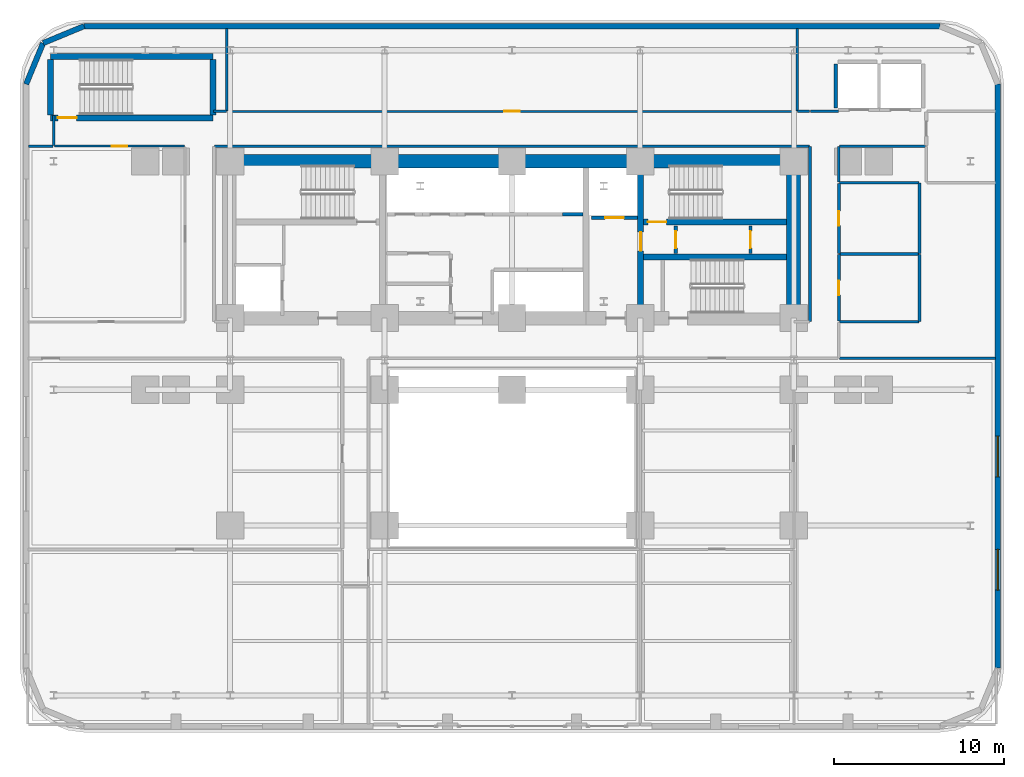
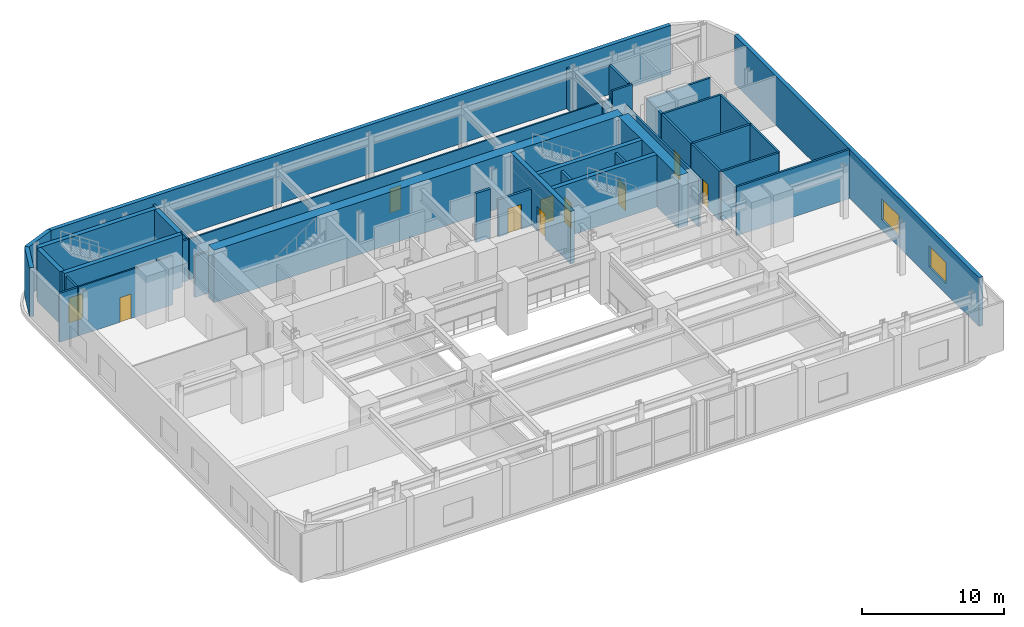
# One storey, part 8 of 14: 39 walls, 10 doors, 2 windows, 12 openings.
"""IFC4 building model written with IfcOpenShell, lengths in metres."""

from ifc_helpers import new_model, si_unit, direction, frame, frame_2d, origin, place, context, subcontext, project, spatial, rectangle, extrude, material, layer, layer_set, type_object, element, fill, save


model = new_model("IFC4")

# Units and contexts
model_context = context("Model", 3, precision=1e-05, world=origin(), true_north=direction((0.0, 1.0)))
body_context = subcontext(model_context, "Body", "Model", "MODEL_VIEW")
ifc_project = project(units=[si_unit("LENGTHUNIT", "METRE"), si_unit("AREAUNIT", "SQUARE_METRE"), si_unit("VOLUMEUNIT", "CUBIC_METRE"), si_unit("PLANEANGLEUNIT", "RADIAN"), si_unit("MASSUNIT", "GRAM", prefix="KILO")], contexts=[model_context])

# Site, building, storey
site_placement = place(None, origin())
site = spatial("IfcSite", under=ifc_project, at=site_placement, CompositionType="ELEMENT")
building_placement = place(site_placement, origin())
building = spatial("IfcBuilding", under=site, at=building_placement, Name="Zarnavel Station Tower", CompositionType="ELEMENT")
storey_placement = place(building_placement, frame((0.0, 0.0, 14.89990234375)))
storey = spatial("IfcBuildingStorey", under=building, at=storey_placement, Name="L04", CompositionType="ELEMENT", Elevation=14.89990234375)

# Wall, opening, door
ifc_material_1 = material(Name="Concrete C50/60", Category="concrete")
ifc_layer_1 = layer(ifc_material_1, 0.35009765625)
ifc_layer_set_1 = layer_set([ifc_layer_1], Name="CW_350")
wall_type_1 = type_object("IfcWallType", Name="CW_350", PredefinedType="SHEAR", material=ifc_layer_set_1)
wall_1_placement = place(storey_placement, frame((36.3798828125, 28.219970703125, 0.0), z_axis=(0.0, 0.0, 1.0), x_axis=(0.0, 1.0, 0.0)))
wall_1 = element("IfcWall", 1, at=wall_1_placement, inside=storey, type_object=wall_type_1, Name="L04 Rear Core Shear Wall DIV-S2", PredefinedType="SHEAR", context=body_context, shape_type="SweptSolid", body=[
    extrude(rectangle(XDim=8.429931640625, YDim=0.35009765625, at=frame_2d((4.21484375, 0.0))), origin(), (0.0, 0.0, 1.0), 4.5),
])
opening_1_placement = place(wall_1_placement, frame((3.56005859375, 0.0, 0.0)))
opening_1 = element("IfcOpeningElement", 2, at=opening_1_placement, cuts=wall_1, Name="Opening FD01", PredefinedType="OPENING", context=body_context, shape_type="SweptSolid", body=[
    extrude(rectangle(XDim=1.10009765625, YDim=2.14990234375, at=frame_2d((0.550048828125, 1.074951171875))), frame((0.0, 0.18505859375, 0.0), z_axis=(0.0, -1.0, 0.0), x_axis=(1.0, 0.0, 0.0)), (0.0, 0.0, 1.0), 0.3701171875),
])
ifc_material_2 = material(Name="Painted Galvanised Steel and Hardwood Leaf", Category="steel")
door_type_1 = type_object("IfcDoorType", Name="ID_STAIR_1100", OperationType="NOTDEFINED", PredefinedType="DOOR", material=ifc_material_2)
door_1_placement = place(opening_1_placement, origin())
door_1 = element("IfcDoor", 3, at=door_1_placement, inside=storey, type_object=door_type_1, Name="L04 East Stair Vestibule Fire Door", OperationType="SINGLE_SWING_LEFT", OverallHeight=2.14990234375, OverallWidth=1.10009765625, PredefinedType="DOOR", context=body_context, shape_type="SweptSolid", body=[
    extrude(rectangle(XDim=1.10009765625, YDim=2.14990234375, at=frame_2d((0.550048828125, 1.074951171875))), frame((0.0, 0.02490234375, 0.0), z_axis=(0.0, -1.0, 0.0), x_axis=(1.0, 0.0, 0.0)), (0.0, 0.0, 1.0), 0.050048828125),
])
fill(opening_1, door_1)

wall_2_placement = place(storey_placement, frame((44.97998046875, 33.47998046875, 0.0), z_axis=(0.0, 0.0, 1.0), x_axis=(-1.0, 0.0, 0.0)))
wall_2 = element("IfcWall", 4, at=wall_2_placement, inside=storey, type_object=wall_type_1, Name="L04 Rear Core Shear Wall DIV-H2", PredefinedType="SHEAR", context=body_context, shape_type="SweptSolid", body=[
    extrude(rectangle(XDim=8.425048828125, YDim=0.35009765625, at=frame_2d((4.21240234375, 0.0))), origin(), (0.0, 0.0, 1.0), 4.5),
])
opening_2_placement = place(wall_2_placement, frame((7.080078125, 0.0, 0.0)))
opening_2 = element("IfcOpeningElement", 5, at=opening_2_placement, cuts=wall_2, Name="Opening FD01", PredefinedType="OPENING", context=body_context, shape_type="SweptSolid", body=[
    extrude(rectangle(XDim=1.10009765625, YDim=2.14990234375, at=frame_2d((0.550048828125, 1.074951171875))), frame((0.0, 0.18505859375, 0.0), z_axis=(0.0, -1.0, 0.0), x_axis=(1.0, 0.0, 0.0)), (0.0, 0.0, 1.0), 0.3701171875),
])
door_2_placement = place(opening_2_placement, origin())
door_2 = element("IfcDoor", 6, at=door_2_placement, inside=storey, type_object=door_type_1, Name="L04 Stair ST2 Lobby Fire Door", OperationType="SINGLE_SWING_RIGHT", OverallHeight=2.14990234375, OverallWidth=1.10009765625, PredefinedType="DOOR", context=body_context, shape_type="SweptSolid", body=[
    extrude(rectangle(XDim=1.10009765625, YDim=2.14990234375, at=frame_2d((0.550048828125, 1.074951171875))), frame((0.0, 0.02490234375, 0.0), z_axis=(0.0, -1.0, 0.0), x_axis=(1.0, 0.0, 0.0)), (0.0, 0.0, 1.0), 0.050048828125),
])
fill(opening_2, door_2)

# Walls
wall_3_placement = place(storey_placement, frame((36.554931640625, 31.419921875, 0.0), z_axis=(0.0, 0.0, 1.0), x_axis=(1.0, 0.0, 0.0)))
element("IfcWall", 7, at=wall_3_placement, inside=storey, type_object=wall_type_1, Name="L04 Rear Core Shear Wall DIV-H3", PredefinedType="SHEAR", context=body_context, shape_type="SweptSolid", body=[
    extrude(rectangle(XDim=8.425048828125, YDim=0.35009765625, at=frame_2d((4.21240234375, 0.0))), origin(), (0.0, 0.0, 1.0), 4.5),
])
wall_4_placement = place(storey_placement, frame((1.6201171875, 43.239990234375, 0.0), z_axis=(0.0, 0.0, 1.0), x_axis=(1.0, 0.0, 0.0)))
element("IfcWall", 8, at=wall_4_placement, inside=storey, type_object=wall_type_1, Name="L04 Rear Core Shear Wall ST4-N", PredefinedType="SHEAR", context=body_context, shape_type="SweptSolid", body=[
    extrude(rectangle(XDim=9.559814453125, YDim=0.35009765625, at=frame_2d((4.77978515625, 0.0))), origin(), (0.0, 0.0, 1.0), 4.5),
])

# Wall, opening, door
wall_5_placement = place(storey_placement, frame((11.179931640625, 39.6201171875, 0.0), z_axis=(0.0, 0.0, 1.0), x_axis=(-1.0, 0.0, 0.0)))
wall_5 = element("IfcWall", 9, at=wall_5_placement, inside=storey, type_object=wall_type_1, Name="L04 Rear Core Shear Wall ST4-S", PredefinedType="SHEAR", context=body_context, shape_type="SweptSolid", body=[
    extrude(rectangle(XDim=9.559814453125, YDim=0.35009765625, at=frame_2d((4.77978515625, 0.0))), origin(), (0.0, 0.0, 1.0), 4.5),
])
opening_3_placement = place(wall_5_placement, frame((8.030029296875, 0.0, 0.0)))
opening_3 = element("IfcOpeningElement", 10, at=opening_3_placement, cuts=wall_5, Name="Opening FD01", PredefinedType="OPENING", context=body_context, shape_type="SweptSolid", body=[
    extrude(rectangle(XDim=1.10009765625, YDim=2.14990234375, at=frame_2d((0.550048828125, 1.074951171875))), frame((0.0, 0.18505859375, 0.0), z_axis=(0.0, -1.0, 0.0), x_axis=(1.0, 0.0, 0.0)), (0.0, 0.0, 1.0), 0.3701171875),
])
door_3_placement = place(opening_3_placement, origin())
door_3 = element("IfcDoor", 11, at=door_3_placement, inside=storey, type_object=door_type_1, Name="L04 Podium Stair ST4 Fire Door", OperationType="SINGLE_SWING_RIGHT", OverallHeight=2.14990234375, OverallWidth=1.10009765625, PredefinedType="DOOR", context=body_context, shape_type="SweptSolid", body=[
    extrude(rectangle(XDim=1.10009765625, YDim=2.14990234375, at=frame_2d((0.550048828125, 1.074951171875))), frame((0.0, 0.02490234375, 0.0), z_axis=(0.0, -1.0, 0.0), x_axis=(1.0, 0.0, 0.0)), (0.0, 0.0, 1.0), 0.050048828125),
])
fill(opening_3, door_3)

# Walls
for number, where, z_axis, x_axis, name in (
    (12, (1.6201171875, 39.794921875, 0.0), (0.0, 0.0, 1.0), (0.0, 1.0, 0.0), "L04 Rear Core Shear Wall ST4-W"),
    (13, (11.179931640625, 39.794921875, 0.0), (0.0, 0.0, 1.0), (0.0, 1.0, 0.0), "L04 Rear Core Shear Wall ST4-E"),
):
    element("IfcWall", number, at=place(storey_placement, frame(where, z_axis=z_axis, x_axis=x_axis)), inside=storey, type_object=wall_type_1, Name=name, PredefinedType="SHEAR", context=body_context, shape_type="SweptSolid", body=[
        extrude(rectangle(XDim=3.27001953125, YDim=0.35009765625, at=frame_2d((1.635009765625, 0.0))), origin(), (0.0, 0.0, 1.0), 4.5),
    ])
ifc_material_3 = material(Name="Concrete C60/75", Category="concrete")
ifc_layer_2 = layer(ifc_material_3, 0.800048828125)
ifc_layer_set_2 = layer_set([ifc_layer_2], Name="CW_800")
wall_type_2 = type_object("IfcWallType", Name="CW_800", PredefinedType="SHEAR", material=ifc_layer_set_2)
wall_6_placement = place(storey_placement, frame((12.14990234375, 37.050048828125, 0.0), z_axis=(0.0, 0.0, 1.0), x_axis=(1.0, 0.0, 0.0)))
element("IfcWall", 14, at=wall_6_placement, inside=storey, type_object=wall_type_2, Name="L04 Rear Core Shear Wall N", PredefinedType="SHEAR", context=body_context, shape_type="SweptSolid", body=[
    extrude(rectangle(XDim=33.22998046875, YDim=0.800048828125, at=frame_2d((16.614990234375, 0.0))), origin(), (0.0, 0.0, 1.0), 4.5),
])
wall_7_placement = place(storey_placement, frame((45.3798828125, 28.219970703125, 0.0), z_axis=(0.0, 0.0, 1.0), x_axis=(0.0, 1.0, 0.0)))
element("IfcWall", 15, at=wall_7_placement, inside=storey, type_object=wall_type_2, Name="L04 Rear Core Shear Wall E", PredefinedType="SHEAR", context=body_context, shape_type="SweptSolid", body=[
    extrude(rectangle(XDim=8.429931640625, YDim=0.800048828125, at=frame_2d((4.21484375, 0.0))), origin(), (0.0, 0.0, 1.0), 4.5),
])

# Wall, openings, windows
ifc_material_4 = material(Name="Precast concrete C45/55 (Podium Basalt Frame)", Category="masonry")
ifc_layer_3 = layer(ifc_material_4, 0.320068359375)
ifc_layer_set_3 = layer_set([ifc_layer_3], Name="EW_BASALT_320")
wall_type_3 = type_object("IfcWallType", Name="EW_BASALT_320", PredefinedType="SOLIDWALL", material=ifc_layer_set_3)
wall_8_placement = place(storey_placement, frame((57.419921875, 41.60009765625, 0.0), z_axis=(0.0, 0.0, 1.0), x_axis=(0.0, -1.0, 0.0)))
wall_8 = element("IfcWall", 16, at=wall_8_placement, inside=storey, type_object=wall_type_3, Name="L04 Exterior Basalt Masonry Frame Wall 03", PredefinedType="SOLIDWALL", context=body_context, shape_type="SweptSolid", body=[
    extrude(rectangle(XDim=34.400146484375, YDim=0.320068359375, at=frame_2d((17.2001953125, 0.0))), origin(), (0.0, 0.0, 1.0), 4.2001953125),
])
opening_4_placement = place(wall_8_placement, frame((20.726806640625, 0.0, 0.89990234375)))
opening_4 = element("IfcOpeningElement", 17, at=opening_4_placement, cuts=wall_8, Name="Opening WN03", PredefinedType="OPENING", context=body_context, shape_type="SweptSolid", body=[
    extrude(rectangle(XDim=2.39990234375, YDim=1.800048828125, at=frame_2d((1.199951171875, 0.89990234375))), frame((0.0, 0.169921875, 0.0), z_axis=(0.0, -1.0, 0.0), x_axis=(1.0, 0.0, 0.0)), (0.0, 0.0, 1.0), 0.340087890625),
])
opening_5_placement = place(wall_8_placement, frame((27.4033203125, 0.0, 0.89990234375)))
opening_5 = element("IfcOpeningElement", 18, at=opening_5_placement, cuts=wall_8, Name="Opening WN03", PredefinedType="OPENING", context=body_context, shape_type="SweptSolid", body=[
    extrude(rectangle(XDim=2.39990234375, YDim=1.800048828125, at=frame_2d((1.199951171875, 0.89990234375))), frame((0.0, 0.169921875, 0.0), z_axis=(0.0, -1.0, 0.0), x_axis=(1.0, 0.0, 0.0)), (0.0, 0.0, 1.0), 0.340087890625),
])
ifc_material_5 = material(Name="Thermally Broken Black Aluminium and Low-E Dark Glass", Category="aluminium")
window_type = type_object("IfcWindowType", Name="WN_2400x1800", PartitioningType="TRIPLE_PANEL_VERTICAL", PredefinedType="WINDOW", material=ifc_material_5)
window_1_placement = place(opening_4_placement, origin())
window_1 = element("IfcWindow", 19, at=window_1_placement, inside=storey, type_object=window_type, Name="L04 Recessed Facade Window 01", OverallHeight=1.800048828125, OverallWidth=2.39990234375, PartitioningType="SINGLE_PANEL", PredefinedType="WINDOW", context=body_context, shape_type="SweptSolid", body=[
    extrude(rectangle(XDim=2.39990234375, YDim=1.800048828125, at=frame_2d((1.199951171875, 0.89990234375))), frame((0.0, 0.030029296875, 0.0), z_axis=(0.0, -1.0, 0.0), x_axis=(1.0, 0.0, 0.0)), (0.0, 0.0, 1.0), 0.06005859375),
])
fill(opening_4, window_1)
window_2_placement = place(opening_5_placement, origin())
window_2 = element("IfcWindow", 20, at=window_2_placement, inside=storey, type_object=window_type, Name="L04 Recessed Facade Window 02", OverallHeight=1.800048828125, OverallWidth=2.39990234375, PartitioningType="SINGLE_PANEL", PredefinedType="WINDOW", context=body_context, shape_type="SweptSolid", body=[
    extrude(rectangle(XDim=2.39990234375, YDim=1.800048828125, at=frame_2d((1.199951171875, 0.89990234375))), frame((0.0, 0.030029296875, 0.0), z_axis=(0.0, -1.0, 0.0), x_axis=(1.0, 0.0, 0.0)), (0.0, 0.0, 1.0), 0.06005859375),
])
fill(opening_5, window_2)

# Walls
wall_9_placement = place(storey_placement, frame((3.60009765625, 45.02001953125, 0.0), z_axis=(0.0, 0.0, 1.0), x_axis=(1.0, 0.0, 0.0)))
element("IfcWall", 21, at=wall_9_placement, inside=storey, type_object=wall_type_3, Name="L04 Exterior Basalt Masonry Frame Wall 06", PredefinedType="SOLIDWALL", context=body_context, shape_type="SweptSolid", body=[
    extrude(rectangle(XDim=50.39990234375, YDim=0.320068359375, at=frame_2d((25.199951171875, 0.0))), origin(), (0.0, 0.0, 1.0), 4.2001953125),
])
wall_10_placement = place(storey_placement, frame((1.181640625, 44.018310546875, 0.0), z_axis=(0.0, 0.0, 1.0), x_axis=(0.923886112352, 0.382667546838, 0.0)))
element("IfcWall", 22, at=wall_10_placement, inside=storey, type_object=wall_type_3, Name="L04 Exterior Basalt Masonry Frame Wall 07", PredefinedType="SOLIDWALL", context=body_context, shape_type="SweptSolid", body=[
    extrude(rectangle(XDim=2.61767578125, YDim=0.320068359375, at=frame_2d((1.308837890625, 0.0))), origin(), (0.0, 0.0, 1.0), 4.2001953125),
])
wall_11_placement = place(storey_placement, frame((0.179931640625, 41.60009765625, 0.0), z_axis=(0.0, 0.0, 1.0), x_axis=(0.382700522567, 0.923872453333, 0.0)))
element("IfcWall", 23, at=wall_11_placement, inside=storey, type_object=wall_type_3, Name="L04 Exterior Basalt Masonry Frame Wall 08", PredefinedType="SOLIDWALL", context=body_context, shape_type="SweptSolid", body=[
    extrude(rectangle(XDim=2.617431640625, YDim=0.320068359375, at=frame_2d((1.30859375, 0.0))), origin(), (0.0, 0.0, 1.0), 4.2001953125),
])
ifc_material_6 = material(Name="Gypsum Twin-Stud Acoustic Fire Partition", Category="concrete")
ifc_layer_4 = layer(ifc_material_6, 0.159912109375)
ifc_layer_set_4 = layer_set([ifc_layer_4], Name="PT_DEMISE_160")
wall_type_4 = type_object("IfcWallType", Name="PT_DEMISE_160", PredefinedType="PARTITIONING", material=ifc_layer_set_4)
wall_12_placement = place(storey_placement, frame((46.3798828125, 40.0, 0.0), z_axis=(0.0, 0.0, 1.0), x_axis=(1.0, 0.0, 0.0)))
element("IfcWall", 24, at=wall_12_placement, inside=storey, type_object=wall_type_4, Name="L04 Enclosure Wall PCOR-E", PredefinedType="PARTITIONING", context=body_context, shape_type="SweptSolid", body=[
    extrude(rectangle(XDim=1.64013671875, YDim=0.159912109375, at=frame_2d((0.820068359375, 0.0))), origin(), (0.0, 0.0, 1.0), 4.2001953125),
])
wall_13_placement = place(storey_placement, frame((46.35009765625, 27.6298828125, 0.0), z_axis=(0.0, 0.0, 1.0), x_axis=(0.0, 1.0, 0.0)))
element("IfcWall", 25, at=wall_13_placement, inside=storey, type_object=wall_type_4, Name="L04 Enclosure Wall PCOR-E", PredefinedType="PARTITIONING", context=body_context, shape_type="SweptSolid", body=[
    extrude(rectangle(XDim=10.2900390625, YDim=0.159912109375, at=frame_2d((5.14501953125, 0.0))), origin(), (0.0, 0.0, 1.0), 4.2001953125),
])
wall_14_placement = place(storey_placement, frame((48.050048828125, 35.830078125, 0.0), z_axis=(0.0, 0.0, 1.0), x_axis=(0.0, 1.0, 0.0)))
element("IfcWall", 26, at=wall_14_placement, inside=storey, type_object=wall_type_4, Name="L04 Enclosure Wall PCOR-E", PredefinedType="PARTITIONING", context=body_context, shape_type="SweptSolid", body=[
    extrude(rectangle(XDim=2.08984375, YDim=0.159912109375, at=frame_2d((1.044921875, 0.0))), origin(), (0.0, 0.0, 1.0), 4.2001953125),
])
wall_15_placement = place(storey_placement, frame((11.280029296875, 37.949951171875, 0.0), z_axis=(0.0, 0.0, 1.0), x_axis=(1.0, 0.0, 0.0)))
element("IfcWall", 27, at=wall_15_placement, inside=storey, type_object=wall_type_4, Name="L04 Enclosure Wall PCOR-N", PredefinedType="PARTITIONING", context=body_context, shape_type="SweptSolid", body=[
    extrude(rectangle(XDim=35.0400390625, YDim=0.159912109375, at=frame_2d((17.52001953125, 0.0))), origin(), (0.0, 0.0, 1.0), 3.530029296875),
])
wall_16_placement = place(storey_placement, frame((11.2099609375, 40.0, 0.0), z_axis=(0.0, 0.0, 1.0), x_axis=(1.0, 0.0, 0.0)))
element("IfcWall", 28, at=wall_16_placement, inside=storey, type_object=wall_type_4, Name="L04 Enclosure Wall PCOR-N", PredefinedType="PARTITIONING", context=body_context, shape_type="SweptSolid", body=[
    extrude(rectangle(XDim=0.760009765625, YDim=0.159912109375, at=frame_2d((0.3798828125, 0.0))), origin(), (0.0, 0.0, 1.0), 3.530029296875),
])
wall_17_placement = place(storey_placement, frame((45.6298828125, 40.0, 0.0), z_axis=(0.0, 0.0, 1.0), x_axis=(1.0, 0.0, 0.0)))
element("IfcWall", 29, at=wall_17_placement, inside=storey, type_object=wall_type_4, Name="L04 Enclosure Wall PCOR-N", PredefinedType="PARTITIONING", context=body_context, shape_type="SweptSolid", body=[
    extrude(rectangle(XDim=0.690185546875, YDim=0.159912109375, at=frame_2d((0.34521484375, 0.0))), origin(), (0.0, 0.0, 1.0), 3.530029296875),
])
wall_18_placement = place(storey_placement, frame((1.800048828125, 37.97998046875, 0.0), z_axis=(0.0, 0.0, 1.0), x_axis=(0.0, 1.0, 0.0)))
element("IfcWall", 30, at=wall_18_placement, inside=storey, type_object=wall_type_4, Name="L04 Enclosure Wall PCOR-N", PredefinedType="PARTITIONING", context=body_context, shape_type="SweptSolid", body=[
    extrude(rectangle(XDim=1.784912109375, YDim=0.159912109375, at=frame_2d((0.892578125, 0.0))), origin(), (0.0, 0.0, 1.0), 4.2001953125),
])
wall_19_placement = place(storey_placement, frame((0.31005859375, 37.949951171875, 0.0), z_axis=(0.0, 0.0, 1.0), x_axis=(1.0, 0.0, 0.0)))
element("IfcWall", 31, at=wall_19_placement, inside=storey, type_object=wall_type_4, Name="L04 Enclosure Wall PNW", PredefinedType="PARTITIONING", context=body_context, shape_type="SweptSolid", body=[
    extrude(rectangle(XDim=1.4599609375, YDim=0.159912109375, at=frame_2d((0.72998046875, 0.0))), origin(), (0.0, 0.0, 1.0), 4.2001953125),
])
wall_20_placement = place(storey_placement, frame((48.080078125, 37.949951171875, 0.0), z_axis=(0.0, 0.0, 1.0), x_axis=(1.0, 0.0, 0.0)))
element("IfcWall", 32, at=wall_20_placement, inside=storey, type_object=wall_type_4, Name="L04 Enclosure Wall PLLOB", PredefinedType="PARTITIONING", context=body_context, shape_type="SweptSolid", body=[
    extrude(rectangle(XDim=5.08984375, YDim=0.159912109375, at=frame_2d((2.544921875, 0.0))), origin(), (0.0, 0.0, 1.0), 4.2001953125),
])
wall_21_placement = place(storey_placement, frame((48.080078125, 27.60009765625, 0.0), z_axis=(0.0, 0.0, 1.0), x_axis=(1.0, 0.0, 0.0)))
element("IfcWall", 33, at=wall_21_placement, inside=storey, type_object=wall_type_4, Name="L04 Enclosure Wall PWC-M", PredefinedType="PARTITIONING", context=body_context, shape_type="SweptSolid", body=[
    extrude(rectangle(XDim=4.68994140625, YDim=0.159912109375, at=frame_2d((2.344970703125, 0.0))), origin(), (0.0, 0.0, 1.0), 4.2001953125),
])
wall_22_placement = place(storey_placement, frame((52.800048828125, 27.6298828125, 0.0), z_axis=(0.0, 0.0, 1.0), x_axis=(0.0, 1.0, 0.0)))
element("IfcWall", 34, at=wall_22_placement, inside=storey, type_object=wall_type_4, Name="L04 Enclosure Wall PWC-M", PredefinedType="PARTITIONING", context=body_context, shape_type="SweptSolid", body=[
    extrude(rectangle(XDim=3.940185546875, YDim=0.159912109375, at=frame_2d((1.97021484375, 0.0))), origin(), (0.0, 0.0, 1.0), 4.2001953125),
])
wall_23_placement = place(storey_placement, frame((48.080078125, 35.800048828125, 0.0), z_axis=(0.0, 0.0, 1.0), x_axis=(1.0, 0.0, 0.0)))
element("IfcWall", 35, at=wall_23_placement, inside=storey, type_object=wall_type_4, Name="L04 Enclosure Wall PWC-F", PredefinedType="PARTITIONING", context=body_context, shape_type="SweptSolid", body=[
    extrude(rectangle(XDim=4.68994140625, YDim=0.159912109375, at=frame_2d((2.344970703125, 0.0))), origin(), (0.0, 0.0, 1.0), 4.2001953125),
])
wall_24_placement = place(storey_placement, frame((52.800048828125, 31.6298828125, 0.0), z_axis=(0.0, 0.0, 1.0), x_axis=(0.0, 1.0, 0.0)))
element("IfcWall", 36, at=wall_24_placement, inside=storey, type_object=wall_type_4, Name="L04 Enclosure Wall PWC-F", PredefinedType="PARTITIONING", context=body_context, shape_type="SweptSolid", body=[
    extrude(rectangle(XDim=4.14013671875, YDim=0.159912109375, at=frame_2d((2.070068359375, 0.0))), origin(), (0.0, 0.0, 1.0), 4.2001953125),
])
wall_25_placement = place(storey_placement, frame((48.080078125, 25.449951171875, 0.0), z_axis=(0.0, 0.0, 1.0), x_axis=(1.0, 0.0, 0.0)))
element("IfcWall", 37, at=wall_25_placement, inside=storey, type_object=wall_type_4, Name="L04 Enclosure Wall PDRE", PredefinedType="PARTITIONING", context=body_context, shape_type="SweptSolid", body=[
    extrude(rectangle(XDim=9.2099609375, YDim=0.159912109375, at=frame_2d((4.60498046875, 0.0))), origin(), (0.0, 0.0, 1.0), 4.2001953125),
])
for number, where, z_axis, x_axis, name in (
    (38, (12.0, 40.030029296875, 0.0), (0.0, 0.0, 1.0), (0.0, 1.0, 0.0), "L04 Enclosure Wall COLD"),
    (39, (45.60009765625, 40.030029296875, 0.0), (0.0, 0.0, 1.0), (0.0, 1.0, 0.0), "L04 Enclosure Wall COLD"),
):
    element("IfcWall", number, at=place(storey_placement, frame(where, z_axis=z_axis, x_axis=x_axis)), inside=storey, type_object=wall_type_4, Name=name, PredefinedType="PARTITIONING", context=body_context, shape_type="SweptSolid", body=[
        extrude(rectangle(XDim=4.85986328125, YDim=0.159912109375, at=frame_2d((2.429931640625, 0.0))), origin(), (0.0, 0.0, 1.0), 3.530029296875),
    ])

# Wall, opening, door
ifc_material_7 = material(Name="Gypsum Metal-Stud Interior Partition", Category="concrete")
ifc_layer_5 = layer(ifc_material_7, 0.1201171875)
ifc_layer_set_5 = layer_set([ifc_layer_5], Name="PT_ROOM_120")
wall_type_5 = type_object("IfcWallType", Name="PT_ROOM_120", PredefinedType="PARTITIONING", material=ifc_layer_set_5)
wall_26_placement = place(storey_placement, frame((1.840087890625, 37.949951171875, 0.0), z_axis=(0.0, 0.0, 1.0), x_axis=(1.0, 0.0, 0.0)))
wall_26 = element("IfcWall", 40, at=wall_26_placement, inside=storey, type_object=wall_type_5, Name="L04 Partition PCOR-N-PNW", PredefinedType="PARTITIONING", context=body_context, shape_type="SweptSolid", body=[
    extrude(rectangle(XDim=7.669921875, YDim=0.1201171875, at=frame_2d((3.8349609375, 0.0))), origin(), (0.0, 0.0, 1.0), 4.2001953125),
])
opening_6_placement = place(wall_26_placement, frame((3.385009765625, 0.0, 0.0)))
opening_6 = element("IfcOpeningElement", 41, at=opening_6_placement, cuts=wall_26, Name="Opening ID01", PredefinedType="OPENING", context=body_context, shape_type="SweptSolid", body=[
    extrude(rectangle(XDim=0.89990234375, YDim=2.10009765625, at=frame_2d((0.449951171875, 1.050048828125))), frame((0.0, 0.070068359375, 0.0), z_axis=(0.0, -1.0, 0.0), x_axis=(1.0, 0.0, 0.0)), (0.0, 0.0, 1.0), 0.14013671875),
])
ifc_material_8 = material(Name="Painted Galvanised Steel and Hardwood Leaf", Category="steel")
door_type_2 = type_object("IfcDoorType", Name="ID_ROOM_900", OperationType="NOTDEFINED", PredefinedType="DOOR", material=ifc_material_8)
door_4_placement = place(opening_6_placement, origin())
door_4 = element("IfcDoor", 42, at=door_4_placement, inside=storey, type_object=door_type_2, Name="L04 Door PCOR-N-PNW", OperationType="SINGLE_SWING_RIGHT", OverallHeight=2.10009765625, OverallWidth=0.89990234375, PredefinedType="DOOR", context=body_context, shape_type="SweptSolid", body=[
    extrude(rectangle(XDim=0.89990234375, YDim=2.10009765625, at=frame_2d((0.449951171875, 1.050048828125))), frame((0.0, 0.02490234375, 0.0), z_axis=(0.0, -1.0, 0.0), x_axis=(1.0, 0.0, 0.0)), (0.0, 0.0, 1.0), 0.050048828125),
])
fill(opening_6, door_4)

wall_27_placement = place(storey_placement, frame((12.0400390625, 40.0, 0.0), z_axis=(0.0, 0.0, 1.0), x_axis=(1.0, 0.0, 0.0)))
wall_27 = element("IfcWall", 43, at=wall_27_placement, inside=storey, type_object=wall_type_5, Name="L04 Partition PCOR-N-COLD", PredefinedType="PARTITIONING", context=body_context, shape_type="SweptSolid", body=[
    extrude(rectangle(XDim=33.52001953125, YDim=0.1201171875, at=frame_2d((16.760009765625, 0.0))), origin(), (0.0, 0.0, 1.0), 3.530029296875),
])
opening_7_placement = place(wall_27_placement, frame((16.31005859375, 0.0, 0.0)))
opening_7 = element("IfcOpeningElement", 44, at=opening_7_placement, cuts=wall_27, Name="Opening ID01", PredefinedType="OPENING", context=body_context, shape_type="SweptSolid", body=[
    extrude(rectangle(XDim=0.89990234375, YDim=2.10009765625, at=frame_2d((0.449951171875, 1.050048828125))), frame((0.0, 0.070068359375, 0.0), z_axis=(0.0, -1.0, 0.0), x_axis=(1.0, 0.0, 0.0)), (0.0, 0.0, 1.0), 0.14013671875),
])
door_5_placement = place(opening_7_placement, origin())
door_5 = element("IfcDoor", 45, at=door_5_placement, inside=storey, type_object=door_type_2, Name="L04 Door PCOR-N-COLD", OperationType="SINGLE_SWING_LEFT", OverallHeight=2.10009765625, OverallWidth=0.89990234375, PredefinedType="DOOR", context=body_context, shape_type="SweptSolid", body=[
    extrude(rectangle(XDim=0.89990234375, YDim=2.10009765625, at=frame_2d((0.449951171875, 1.050048828125))), frame((0.0, 0.02490234375, 0.0), z_axis=(0.0, -1.0, 0.0), x_axis=(1.0, 0.0, 0.0)), (0.0, 0.0, 1.0), 0.050048828125),
])
fill(opening_7, door_5)

ifc_material_9 = material(Name="Precast concrete C45/55 (Fire Shaft Blockwork)", Category="masonry")
ifc_layer_6 = layer(ifc_material_9, 0.199951171875)
ifc_layer_set_6 = layer_set([ifc_layer_6], Name="PT_SHAFT_200")
wall_type_6 = type_object("IfcWallType", Name="PT_SHAFT_200", PredefinedType="PARTITIONING", material=ifc_layer_set_6)
wall_28_placement = place(storey_placement, frame((33.47509765625, 33.72998046875, 0.0), z_axis=(0.0, 0.0, 1.0), x_axis=(1.0, 0.0, 0.0)))
wall_28 = element("IfcWall", 46, at=wall_28_placement, inside=storey, type_object=wall_type_6, Name="L04 Lift FFL-02 Shaft Front Wall", PredefinedType="PARTITIONING", context=body_context, shape_type="SweptSolid", body=[
    extrude(rectangle(XDim=2.724853515625, YDim=0.199951171875, at=frame_2d((1.3623046875, 0.0))), origin(), (0.0, 0.0, 1.0), 3.172119140625),
])
opening_8_placement = place(wall_28_placement, frame((0.8125, 0.0, 0.0)))
opening_8 = element("IfcOpeningElement", 47, at=opening_8_placement, cuts=wall_28, Name="Opening LD01", PredefinedType="OPENING", context=body_context, shape_type="SweptSolid", body=[
    extrude(rectangle(XDim=1.10009765625, YDim=2.14990234375, at=frame_2d((0.550048828125, 1.074951171875))), frame((0.0, 0.10986328125, 0.0), z_axis=(0.0, -1.0, 0.0), x_axis=(1.0, 0.0, 0.0)), (0.0, 0.0, 1.0), 0.219970703125),
])
ifc_material_10 = material(Name="Painted Galvanised Steel and Hardwood Leaf", Category="steel")
door_type_3 = type_object("IfcDoorType", Name="LD_FF_1100", OperationType="DOUBLE_DOOR_SLIDING", PredefinedType="DOOR", material=ifc_material_10)
door_6_placement = place(opening_8_placement, origin())
door_6 = element("IfcDoor", 48, at=door_6_placement, inside=storey, type_object=door_type_3, Name="L04 Lift FFL-02 Sliding Landing Door", OperationType="DOUBLE_DOOR_SLIDING", OverallHeight=2.14990234375, OverallWidth=1.10009765625, PredefinedType="DOOR", context=body_context, shape_type="SweptSolid", body=[
    extrude(rectangle(XDim=1.10009765625, YDim=2.14990234375, at=frame_2d((0.550048828125, 1.074951171875))), frame((0.0, 0.02490234375, 0.0), z_axis=(0.0, -1.0, 0.0), x_axis=(1.0, 0.0, 0.0)), (0.0, 0.0, 1.0), 0.050048828125),
])
fill(opening_8, door_6)

# Walls
wall_29_placement = place(storey_placement, frame((31.77490234375, 33.929931640625, 0.0), z_axis=(0.0, 0.0, 1.0), x_axis=(1.0, 0.0, 0.0)))
element("IfcWall", 49, at=wall_29_placement, inside=storey, type_object=wall_type_6, Name="L04 Lift PL-M3 Shaft Front Wall", PredefinedType="PARTITIONING", context=body_context, shape_type="SweptSolid", body=[
    extrude(rectangle(XDim=1.2001953125, YDim=0.199951171875, at=frame_2d((0.60009765625, 0.0))), origin(), (0.0, 0.0, 1.0), 4.2001953125),
])
wall_30_placement = place(storey_placement, frame((47.8798828125, 40.199951171875, 0.0), z_axis=(0.0, 0.0, 1.0), x_axis=(0.0, 1.0, 0.0)))
element("IfcWall", 50, at=wall_30_placement, inside=storey, type_object=wall_type_6, Name="L04 Lift PL-P1 Shaft Wall W", PredefinedType="PARTITIONING", context=body_context, shape_type="SweptSolid", body=[
    extrude(rectangle(XDim=2.60009765625, YDim=0.199951171875, at=frame_2d((1.300048828125, 0.0))), origin(), (0.0, 0.0, 1.0), 4.2001953125),
])

# Wall, opening, door
wall_31_placement = place(storey_placement, frame((38.449951171875, 31.639892578125, 0.0), z_axis=(0.0, 0.0, 1.0), x_axis=(0.0, 1.0, 0.0)))
wall_31 = element("IfcWall", 51, at=wall_31_placement, inside=storey, type_object=wall_type_6, Name="L04 Partition ESTV-CEA", PredefinedType="PARTITIONING", context=body_context, shape_type="SweptSolid", body=[
    extrude(rectangle(XDim=1.6201171875, YDim=0.199951171875, at=frame_2d((0.81005859375, 0.0))), origin(), (0.0, 0.0, 1.0), 4.2001953125),
])
opening_9_placement = place(wall_31_placement, frame((0.31005859375, 0.0, 0.0)))
opening_9 = element("IfcOpeningElement", 52, at=opening_9_placement, cuts=wall_31, Name="Opening FD02", PredefinedType="OPENING", context=body_context, shape_type="SweptSolid", body=[
    extrude(rectangle(XDim=1.0, YDim=2.14990234375, at=frame_2d((0.5, 1.074951171875))), frame((0.0, 0.10986328125, 0.0), z_axis=(0.0, -1.0, 0.0), x_axis=(1.0, 0.0, 0.0)), (0.0, 0.0, 1.0), 0.219970703125),
])
ifc_material_11 = material(Name="Painted Galvanised Steel and Hardwood Leaf", Category="steel")
door_type_4 = type_object("IfcDoorType", Name="ID_ENTRY_1000", OperationType="NOTDEFINED", PredefinedType="DOOR", material=ifc_material_11)
door_7_placement = place(opening_9_placement, origin())
door_7 = element("IfcDoor", 53, at=door_7_placement, inside=storey, type_object=door_type_4, Name="L04 Door ESTV-CEA", OperationType="SINGLE_SWING_LEFT", OverallHeight=2.14990234375, OverallWidth=1.0, PredefinedType="DOOR", context=body_context, shape_type="SweptSolid", body=[
    extrude(rectangle(XDim=1.0, YDim=2.14990234375, at=frame_2d((0.5, 1.074951171875))), frame((0.0, 0.02490234375, 0.0), z_axis=(0.0, -1.0, 0.0), x_axis=(1.0, 0.0, 0.0)), (0.0, 0.0, 1.0), 0.050048828125),
])
fill(opening_9, door_7)

wall_32_placement = place(storey_placement, frame((42.85009765625, 31.639892578125, 0.0), z_axis=(0.0, 0.0, 1.0), x_axis=(0.0, 1.0, 0.0)))
wall_32 = element("IfcWall", 54, at=wall_32_placement, inside=storey, type_object=wall_type_6, Name="L04 Partition CEA-CEB", PredefinedType="PARTITIONING", context=body_context, shape_type="SweptSolid", body=[
    extrude(rectangle(XDim=1.6201171875, YDim=0.199951171875, at=frame_2d((0.81005859375, 0.0))), origin(), (0.0, 0.0, 1.0), 4.2001953125),
])
opening_10_placement = place(wall_32_placement, frame((0.31005859375, 0.0, 0.0)))
opening_10 = element("IfcOpeningElement", 55, at=opening_10_placement, cuts=wall_32, Name="Opening FD02", PredefinedType="OPENING", context=body_context, shape_type="SweptSolid", body=[
    extrude(rectangle(XDim=1.0, YDim=2.14990234375, at=frame_2d((0.5, 1.074951171875))), frame((0.0, 0.10986328125, 0.0), z_axis=(0.0, -1.0, 0.0), x_axis=(1.0, 0.0, 0.0)), (0.0, 0.0, 1.0), 0.219970703125),
])
door_8_placement = place(opening_10_placement, origin())
door_8 = element("IfcDoor", 56, at=door_8_placement, inside=storey, type_object=door_type_4, Name="L04 Door CEA-CEB", OperationType="SINGLE_SWING_RIGHT", OverallHeight=2.14990234375, OverallWidth=1.0, PredefinedType="DOOR", context=body_context, shape_type="SweptSolid", body=[
    extrude(rectangle(XDim=1.0, YDim=2.14990234375, at=frame_2d((0.5, 1.074951171875))), frame((0.0, 0.02490234375, 0.0), z_axis=(0.0, -1.0, 0.0), x_axis=(1.0, 0.0, 0.0)), (0.0, 0.0, 1.0), 0.050048828125),
])
fill(opening_10, door_8)

ifc_material_12 = material(Name="Moisture-Resistant Plumbing Chase Wall", Category="concrete")
ifc_layer_7 = layer(ifc_material_12, 0.179931640625)
ifc_layer_set_7 = layer_set([ifc_layer_7], Name="PW_PLUMB_180")
wall_type_7 = type_object("IfcWallType", Name="PW_PLUMB_180", PredefinedType="PLUMBINGWALL", material=ifc_layer_set_7)
wall_33_placement = place(storey_placement, frame((48.050048828125, 27.639892578125, 0.0), z_axis=(0.0, 0.0, 1.0), x_axis=(0.0, 1.0, 0.0)))
wall_33 = element("IfcWall", 57, at=wall_33_placement, inside=storey, type_object=wall_type_7, Name="L04 Partition PCOR-E-PWC-M", PredefinedType="PLUMBINGWALL", context=body_context, shape_type="SweptSolid", body=[
    extrude(rectangle(XDim=3.920166015625, YDim=0.179931640625, at=frame_2d((1.9599609375, 0.0))), origin(), (0.0, 0.0, 1.0), 4.2001953125),
])
opening_11_placement = place(wall_33_placement, frame((1.534912109375, 0.0, 0.0)))
opening_11 = element("IfcOpeningElement", 58, at=opening_11_placement, cuts=wall_33, Name="Opening ID02", PredefinedType="OPENING", context=body_context, shape_type="SweptSolid", body=[
    extrude(rectangle(XDim=0.85009765625, YDim=2.10009765625, at=frame_2d((0.425048828125, 1.050048828125))), frame((0.0, 0.099853515625, 0.0), z_axis=(0.0, -1.0, 0.0), x_axis=(1.0, 0.0, 0.0)), (0.0, 0.0, 1.0), 0.199951171875),
])
ifc_material_13 = material(Name="Painted Galvanised Steel and Hardwood Leaf", Category="steel")
door_type_5 = type_object("IfcDoorType", Name="ID_BATH_850", OperationType="NOTDEFINED", PredefinedType="DOOR", material=ifc_material_13)
door_9_placement = place(opening_11_placement, origin())
door_9 = element("IfcDoor", 59, at=door_9_placement, inside=storey, type_object=door_type_5, Name="L04 Door PCOR-E-PWC-M", OperationType="SINGLE_SWING_RIGHT", OverallHeight=2.10009765625, OverallWidth=0.85009765625, PredefinedType="DOOR", context=body_context, shape_type="SweptSolid", body=[
    extrude(rectangle(XDim=0.85009765625, YDim=2.10009765625, at=frame_2d((0.425048828125, 1.050048828125))), frame((0.0, 0.02490234375, 0.0), z_axis=(0.0, -1.0, 0.0), x_axis=(1.0, 0.0, 0.0)), (0.0, 0.0, 1.0), 0.050048828125),
])
fill(opening_11, door_9)

wall_34_placement = place(storey_placement, frame((48.050048828125, 31.639892578125, 0.0), z_axis=(0.0, 0.0, 1.0), x_axis=(0.0, 1.0, 0.0)))
wall_34 = element("IfcWall", 60, at=wall_34_placement, inside=storey, type_object=wall_type_7, Name="L04 Partition PCOR-E-PWC-F", PredefinedType="PLUMBINGWALL", context=body_context, shape_type="SweptSolid", body=[
    extrude(rectangle(XDim=4.1201171875, YDim=0.179931640625, at=frame_2d((2.06005859375, 0.0))), origin(), (0.0, 0.0, 1.0), 4.2001953125),
])
opening_12_placement = place(wall_34_placement, frame((1.635009765625, 0.0, 0.0)))
opening_12 = element("IfcOpeningElement", 61, at=opening_12_placement, cuts=wall_34, Name="Opening ID02", PredefinedType="OPENING", context=body_context, shape_type="SweptSolid", body=[
    extrude(rectangle(XDim=0.85009765625, YDim=2.10009765625, at=frame_2d((0.425048828125, 1.050048828125))), frame((0.0, 0.099853515625, 0.0), z_axis=(0.0, -1.0, 0.0), x_axis=(1.0, 0.0, 0.0)), (0.0, 0.0, 1.0), 0.199951171875),
])
door_10_placement = place(opening_12_placement, origin())
door_10 = element("IfcDoor", 62, at=door_10_placement, inside=storey, type_object=door_type_5, Name="L04 Door PCOR-E-PWC-F", OperationType="SINGLE_SWING_LEFT", OverallHeight=2.10009765625, OverallWidth=0.85009765625, PredefinedType="DOOR", context=body_context, shape_type="SweptSolid", body=[
    extrude(rectangle(XDim=0.85009765625, YDim=2.10009765625, at=frame_2d((0.425048828125, 1.050048828125))), frame((0.0, 0.02490234375, 0.0), z_axis=(0.0, -1.0, 0.0), x_axis=(1.0, 0.0, 0.0)), (0.0, 0.0, 1.0), 0.050048828125),
])
fill(opening_12, door_10)

# Wall
wall_35_placement = place(storey_placement, frame((48.090087890625, 31.60009765625, 0.0), z_axis=(0.0, 0.0, 1.0), x_axis=(1.0, 0.0, 0.0)))
element("IfcWall", 63, at=wall_35_placement, inside=storey, type_object=wall_type_7, Name="L04 Partition PWC-M-PWC-F", PredefinedType="PLUMBINGWALL", context=body_context, shape_type="SweptSolid", body=[
    extrude(rectangle(XDim=4.669921875, YDim=0.179931640625, at=frame_2d((2.3349609375, 0.0))), origin(), (0.0, 0.0, 1.0), 4.2001953125),
])

save(model, "model.ifc")
